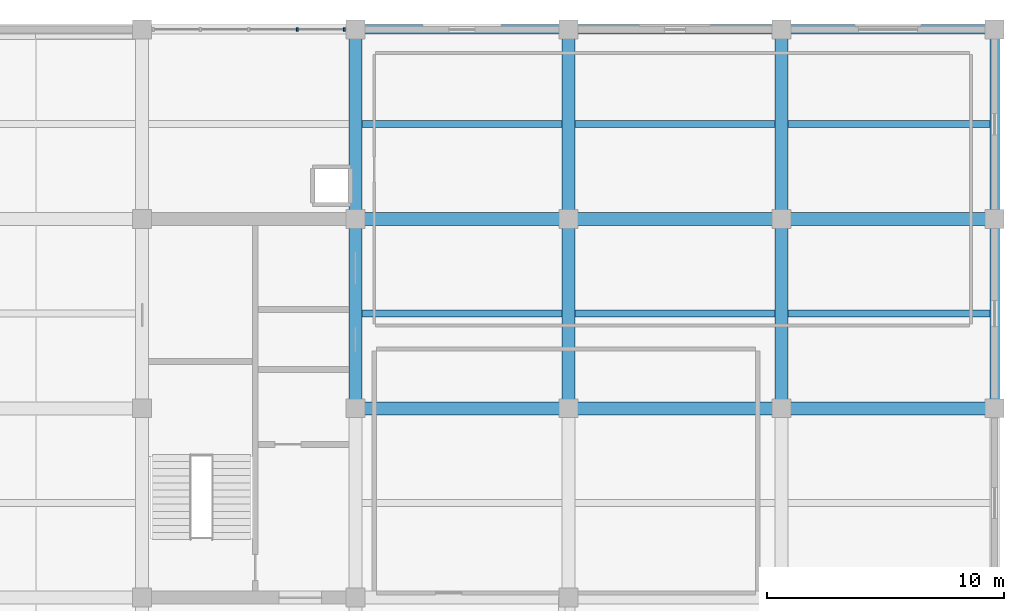
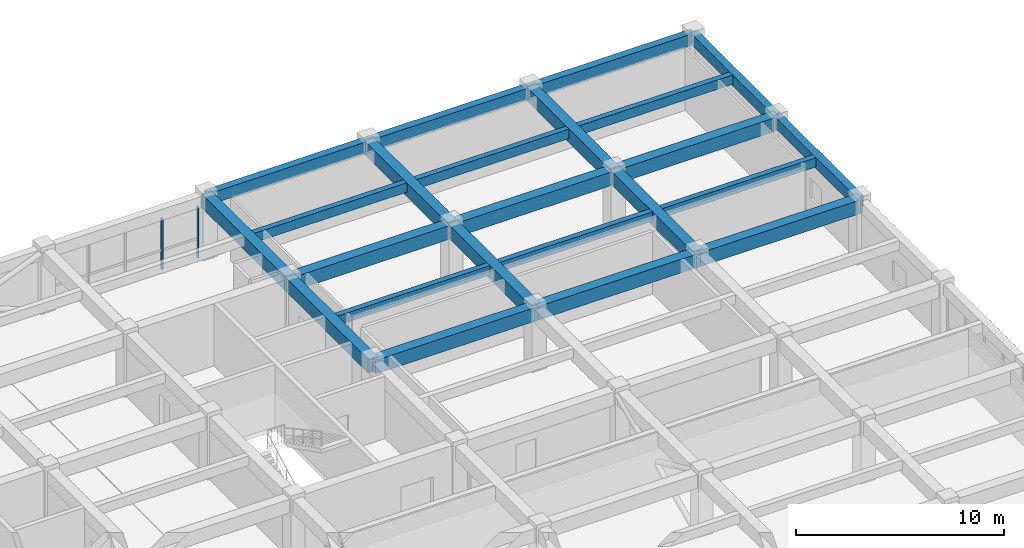
# One storey, part 10 of 16: 23 beams, 2 members, 1 element without a shape of its own.
"""IFC4 building model written with IfcOpenShell, lengths in metres."""

from ifc_helpers import new_model, si_unit, direction, frame, origin, origin_2d, place, context, subcontext, project, spatial, rectangle, extrude, material, material_profile, profile_set, type_object, element, aggregate, save


model = new_model("IFC4")

# Units and contexts
model_context = context("Model", 3, precision=1e-05, world=origin(), true_north=direction((0.0, 1.0)))
body_context = subcontext(model_context, "Body", "Model", "MODEL_VIEW")
ifc_project = project(units=[si_unit("LENGTHUNIT", "METRE"), si_unit("AREAUNIT", "SQUARE_METRE"), si_unit("VOLUMEUNIT", "CUBIC_METRE"), si_unit("PLANEANGLEUNIT", "RADIAN"), si_unit("MASSUNIT", "GRAM", prefix="KILO")], contexts=[model_context])

# Site, building, storey
site_placement = place(None, origin())
site = spatial("IfcSite", under=ifc_project, at=site_placement, CompositionType="ELEMENT")
building_placement = place(site_placement, origin())
building = spatial("IfcBuilding", under=site, at=building_placement, Name="Zaverband Oceanarium and Marine Research Institute", CompositionType="ELEMENT")
storey_placement = place(building_placement, frame((0.0, 0.0, 37.5)))
storey = spatial("IfcBuildingStorey", under=building, at=storey_placement, Name="L09", CompositionType="ELEMENT", Elevation=37.5)

# Beams
ifc_material_1 = material(Name="Concrete C40/50", Category="concrete")
ifc_material_profile_1 = material_profile(ifc_material_1, rectangle(XDim=0.550048828125, YDim=0.800048828125, at=origin_2d()), Name="RC550x800")
ifc_profile_set_1 = profile_set([ifc_material_profile_1], Name="Concrete C40/50")
beam_type_1 = type_object("IfcBeamType", Name="BM-550x800", PredefinedType="BEAM", material=ifc_profile_set_1)
for number, where, z_axis, x_axis, name in (
    (1, (45.0, 96.0, 3.25), (1.0, 0.0, 0.0), (0.0, 1.0, 0.0), "Primary floor girder BM-550x800"),
    (2, (54.0, 96.0, 3.25), (1.0, 0.0, 0.0), (0.0, 1.0, 0.0), "Primary floor girder BM-550x800"),
    (3, (63.0, 96.0, 3.25), (1.0, 0.0, 0.0), (0.0, 1.0, 0.0), "Primary floor girder BM-550x800"),
    (4, (45.0, 104.0, 3.25), (1.0, 0.0, 0.0), (0.0, 1.0, 0.0), "Primary floor girder BM-550x800"),
    (5, (54.0, 104.0, 3.25), (1.0, 0.0, 0.0), (0.0, 1.0, 0.0), "Primary floor girder BM-550x800"),
    (6, (63.0, 104.0, 3.25), (1.0, 0.0, 0.0), (0.0, 1.0, 0.0), "Primary floor girder BM-550x800"),
):
    element("IfcBeam", number, at=place(storey_placement, frame(where, z_axis=z_axis, x_axis=x_axis)), inside=storey, type_object=beam_type_1, Name=name, PredefinedType="BEAM", context=body_context, shape_type="SweptSolid", body=[
        extrude(rectangle(XDim=0.550048828125, YDim=0.800048828125, at=origin_2d()), origin(), (0.0, 0.0, 1.0), 9.0),
    ])
for number, where, z_axis, x_axis, name in (
    (7, (45.0, 96.0, 3.25), (0.0, 1.0, 0.0), (-1.0, 0.0, 0.0), "Primary floor girder BM-550x800"),
    (8, (45.0, 104.0, 3.25), (0.0, 1.0, 0.0), (-1.0, 0.0, 0.0), "Primary floor girder BM-550x800"),
    (9, (54.0, 96.0, 3.25), (0.0, 1.0, 0.0), (-1.0, 0.0, 0.0), "Primary floor girder BM-550x800"),
    (10, (54.0, 104.0, 3.25), (0.0, 1.0, 0.0), (-1.0, 0.0, 0.0), "Primary floor girder BM-550x800"),
    (11, (63.0, 96.0, 3.25), (0.0, 1.0, 0.0), (-1.0, 0.0, 0.0), "Primary floor girder BM-550x800"),
    (12, (63.0, 104.0, 3.25), (0.0, 1.0, 0.0), (-1.0, 0.0, 0.0), "Primary floor girder BM-550x800"),
):
    element("IfcBeam", number, at=place(storey_placement, frame(where, z_axis=z_axis, x_axis=x_axis)), inside=storey, type_object=beam_type_1, Name=name, PredefinedType="BEAM", context=body_context, shape_type="SweptSolid", body=[
        extrude(rectangle(XDim=0.550048828125, YDim=0.800048828125, at=origin_2d()), origin(), (0.0, 0.0, 1.0), 8.0),
    ])
ifc_material_profile_2 = material_profile(ifc_material_1, rectangle(XDim=0.300048828125, YDim=0.550048828125, at=origin_2d()), Name="RC300x550")
ifc_profile_set_2 = profile_set([ifc_material_profile_2], Name="Concrete C40/50")
beam_type_2 = type_object("IfcBeamType", Name="JST-300x550", PredefinedType="JOIST", material=ifc_profile_set_2)
for number, where, z_axis, x_axis, name in (
    (13, (45.27490234375, 100.0, 3.375), (1.0, 0.0, 0.0), (0.0, 1.0, 0.0), "Secondary floor joist JST-300x550"),
    (14, (45.27490234375, 108.0, 3.375), (1.0, 0.0, 0.0), (0.0, 1.0, 0.0), "Secondary floor joist JST-300x550"),
    (15, (54.27490234375, 100.0, 3.375), (1.0, 0.0, 0.0), (0.0, 1.0, 0.0), "Secondary floor joist JST-300x550"),
    (16, (54.27490234375, 108.0, 3.375), (1.0, 0.0, 0.0), (0.0, 1.0, 0.0), "Secondary floor joist JST-300x550"),
):
    element("IfcBeam", number, at=place(storey_placement, frame(where, z_axis=z_axis, x_axis=x_axis)), inside=storey, type_object=beam_type_2, Name=name, PredefinedType="JOIST", context=body_context, shape_type="SweptSolid", body=[
        extrude(rectangle(XDim=0.300048828125, YDim=0.550048828125, at=origin_2d()), origin(), (0.0, 0.0, 1.0), 8.4501953125),
    ])
for number, where, z_axis, x_axis, name in (
    (17, (63.27490234375, 100.0, 3.375), (1.0, 0.0, 0.0), (0.0, 1.0, 0.0), "Secondary floor joist JST-300x550"),
    (18, (63.27490234375, 108.0, 3.375), (1.0, 0.0, 0.0), (0.0, 1.0, 0.0), "Secondary floor joist JST-300x550"),
):
    element("IfcBeam", number, at=place(storey_placement, frame(where, z_axis=z_axis, x_axis=x_axis)), inside=storey, type_object=beam_type_2, Name=name, PredefinedType="JOIST", context=body_context, shape_type="SweptSolid", body=[
        extrude(rectangle(XDim=0.300048828125, YDim=0.550048828125, at=origin_2d()), origin(), (0.0, 0.0, 1.0), 8.525146484375),
    ])

# Curtain wall, members
ifc_material_2 = material(Name="Thermally broken anodized aluminium and solar-control glass", Category="aluminium")
curtain_wall_type = type_object("IfcCurtainWallType", Name="CW-UNIT-1800", PredefinedType="NOTDEFINED", material=ifc_material_2)
curtain_wall_placement = place(storey_placement, origin())
curtain_wall = element("IfcCurtainWall", 19, at=curtain_wall_placement, inside=storey, type_object=curtain_wall_type, Name="Unitised glazed curtain wall CW-108", PredefinedType="NOTDEFINED")
ifc_material_3 = material(Name="Thermally broken anodized aluminium", Category="aluminium")
ifc_material_profile_3 = material_profile(ifc_material_3, rectangle(XDim=0.070068359375, YDim=0.14990234375, at=origin_2d()), Name="AL-MUL-70x150")
ifc_profile_set_3 = profile_set([ifc_material_profile_3], Name="Thermally broken anodized aluminium")
member_type = type_object("IfcMemberType", Name="MUL-70x150", PredefinedType="MULLION", material=ifc_profile_set_3)
member_1_placement = place(storey_placement, frame((42.547607421875, 112.0, 0.0), z_axis=(0.0, 0.0, 1.0), x_axis=(1.0, 0.0, 0.0)))
member_1 = element("IfcMember", 20, at=member_1_placement, type_object=member_type, Name="Curtain wall vertical mullion MUL-70x150", PredefinedType="MULLION", context=body_context, shape_type="SweptSolid", body=[
    extrude(rectangle(XDim=0.070068359375, YDim=0.14990234375, at=origin_2d()), origin(), (0.0, 0.0, 1.0), 2.97998046875),
])
member_2_placement = place(storey_placement, frame((44.534912109375, 112.0, 0.0), z_axis=(0.0, 0.0, 1.0), x_axis=(1.0, 0.0, 0.0)))
member_2 = element("IfcMember", 21, at=member_2_placement, type_object=member_type, Name="Curtain wall vertical mullion MUL-70x150", PredefinedType="MULLION", context=body_context, shape_type="SweptSolid", body=[
    extrude(rectangle(XDim=0.070068359375, YDim=0.14990234375, at=origin_2d()), origin(), (0.0, 0.0, 1.0), 2.97998046875),
])
aggregate(curtain_wall, [member_1, member_2])

# Beams
ifc_material_profile_4 = material_profile(ifc_material_1, rectangle(XDim=0.39990234375, YDim=0.64990234375, at=origin_2d()), Name="RC400x650")
ifc_profile_set_4 = profile_set([ifc_material_profile_4], Name="Concrete C40/50")
beam_type_3 = type_object("IfcBeamType", Name="SPN-400x650", PredefinedType="SPANDREL", material=ifc_profile_set_4)
for number, where, z_axis, x_axis, name in (
    (22, (45.0, 112.0, 3.324951171875), (1.0, 0.0, 0.0), (0.0, 1.0, 0.0), "Perimeter spandrel beam SPN-400x650"),
    (23, (54.0, 112.0, 3.324951171875), (1.0, 0.0, 0.0), (0.0, 1.0, 0.0), "Perimeter spandrel beam SPN-400x650"),
    (24, (63.0, 112.0, 3.324951171875), (1.0, 0.0, 0.0), (0.0, 1.0, 0.0), "Perimeter spandrel beam SPN-400x650"),
):
    element("IfcBeam", number, at=place(storey_placement, frame(where, z_axis=z_axis, x_axis=x_axis)), inside=storey, type_object=beam_type_3, Name=name, PredefinedType="SPANDREL", context=body_context, shape_type="SweptSolid", body=[
        extrude(rectangle(XDim=0.39990234375, YDim=0.64990234375, at=origin_2d()), origin(), (0.0, 0.0, 1.0), 9.0),
    ])
for number, where, z_axis, x_axis, name in (
    (25, (72.0, 96.0, 3.324951171875), (0.0, 1.0, 0.0), (-1.0, 0.0, 0.0), "Perimeter spandrel beam SPN-400x650"),
    (26, (72.0, 104.0, 3.324951171875), (0.0, 1.0, 0.0), (-1.0, 0.0, 0.0), "Perimeter spandrel beam SPN-400x650"),
):
    element("IfcBeam", number, at=place(storey_placement, frame(where, z_axis=z_axis, x_axis=x_axis)), inside=storey, type_object=beam_type_3, Name=name, PredefinedType="SPANDREL", context=body_context, shape_type="SweptSolid", body=[
        extrude(rectangle(XDim=0.39990234375, YDim=0.64990234375, at=origin_2d()), origin(), (0.0, 0.0, 1.0), 8.0),
    ])

save(model, "model.ifc")
